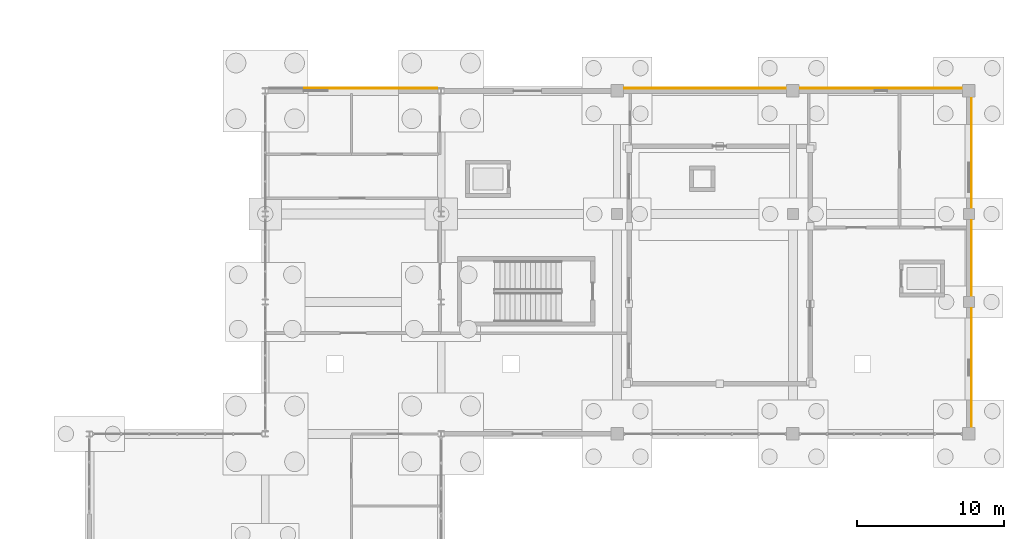
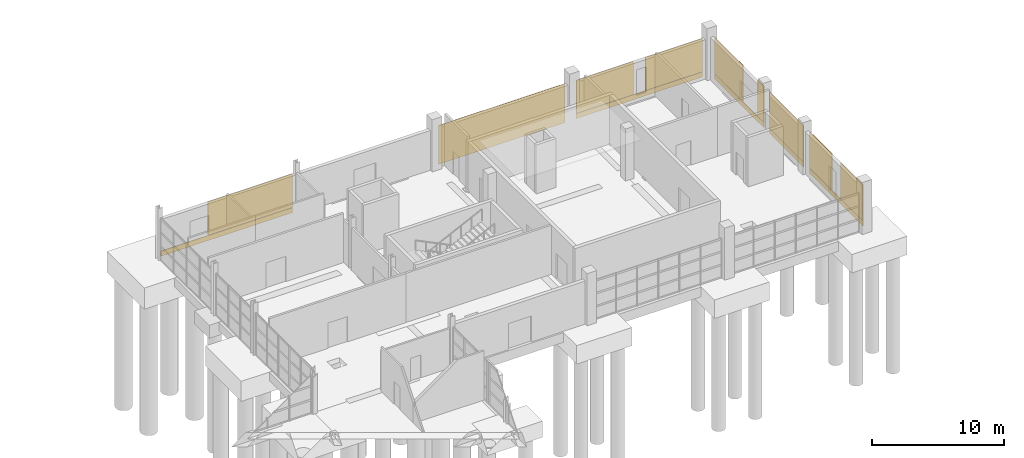
# One storey, part 81 of 82: 14 coverings.
"""IFC4 building model written with IfcOpenShell, lengths in metres."""

from ifc_helpers import new_model, si_unit, direction, frame, origin, origin_2d, place, context, subcontext, project, spatial, rectangle, extrude, material, layer, layer_set, type_object, element, save


model = new_model("IFC4")

# Units and contexts
model_context = context("Model", 3, precision=1e-05, world=origin(), true_north=direction((0.0, 1.0)))
body_context = subcontext(model_context, "Body", "Model", "MODEL_VIEW")
ifc_project = project(units=[si_unit("LENGTHUNIT", "METRE"), si_unit("AREAUNIT", "SQUARE_METRE"), si_unit("VOLUMEUNIT", "CUBIC_METRE"), si_unit("PLANEANGLEUNIT", "RADIAN"), si_unit("MASSUNIT", "GRAM", prefix="KILO")], contexts=[model_context])

# Site, building, storey
site_placement = place(None, origin())
site = spatial("IfcSite", under=ifc_project, at=site_placement, CompositionType="ELEMENT")
building_placement = place(site_placement, origin())
building = spatial("IfcBuilding", under=site, at=building_placement, Name="Kelmvaro Bay Concert Hall", CompositionType="ELEMENT")
storey_placement = place(building_placement, origin())
storey = spatial("IfcBuildingStorey", under=building, at=storey_placement, Name="L00", CompositionType="ELEMENT", Elevation=0.0)

# Coverings
ifc_material = material(Name="Honed Florida Limestone Travertine", Category="masonry")
ifc_layer = layer(ifc_material, 0.054931640625)
ifc_layer_set = layer_set([ifc_layer], Name="Honed Florida Limestone Travertine")
covering_type = type_object("IfcCoveringType", Name="Honed Florida Travertine Rainscreen Cladding 55", PredefinedType="CLADDING", material=ifc_layer_set)
covering_1_placement = place(storey_placement, frame((126.0, 97.385498046875, 0.0400390625), z_axis=(0.0, 0.0, 1.0), x_axis=(1.0, 0.0, 0.0)))
element("IfcCovering", 1, at=covering_1_placement, inside=storey, type_object=covering_type, Name="L00 Travertine Sill Band 0303", PredefinedType="CLADDING", context=body_context, shape_type="SweptSolid", body=[
    extrude(rectangle(XDim=11.47900390625, YDim=0.054931640625, at=origin_2d()), origin(), (0.0, 0.0, 1.0), 0.4599609375),
])
covering_2_placement = place(storey_placement, frame((128.04638671875, 97.385498046875, 0.52001953125), z_axis=(0.0, 0.0, 1.0), x_axis=(1.0, 0.0, 0.0)))
element("IfcCovering", 2, at=covering_2_placement, inside=storey, type_object=covering_type, Name="L00 Travertine Pier Panel 0305", PredefinedType="CLADDING", context=body_context, shape_type="SweptSolid", body=[
    extrude(rectangle(XDim=7.345947265625, YDim=0.054931640625, at=origin_2d()), origin(), (0.0, 0.0, 1.0), 3.090087890625),
])
covering_3_placement = place(storey_placement, frame((150.0, 97.385498046875, 0.02978515625), z_axis=(0.0, 0.0, 1.0), x_axis=(1.0, 0.0, 0.0)))
element("IfcCovering", 3, at=covering_3_placement, inside=storey, type_object=covering_type, Name="L00 Travertine Cladding Panel 0306", PredefinedType="CLADDING", context=body_context, shape_type="SweptSolid", body=[
    extrude(rectangle(XDim=11.030029296875, YDim=0.054931640625, at=origin_2d()), origin(), (0.0, 0.0, 1.0), 3.570068359375),
])
covering_4_placement = place(storey_placement, frame((162.0, 97.385498046875, 0.0400390625), z_axis=(0.0, 0.0, 1.0), x_axis=(1.0, 0.0, 0.0)))
element("IfcCovering", 4, at=covering_4_placement, inside=storey, type_object=covering_type, Name="L00 Travertine Sill Band 0307", PredefinedType="CLADDING", context=body_context, shape_type="SweptSolid", body=[
    extrude(rectangle(XDim=11.030029296875, YDim=0.054931640625, at=origin_2d()), origin(), (0.0, 0.0, 1.0), 0.4599609375),
])
for number, where, z_axis, x_axis, name in (
    (5, (158.989990234375, 97.385498046875, 0.52001953125), (0.0, 0.0, 1.0), (1.0, 0.0, 0.0), "L00 Travertine Pier Panel 0308"),
    (6, (165.010009765625, 97.385498046875, 0.52001953125), (0.0, 0.0, 1.0), (1.0, 0.0, 0.0), "L00 Travertine Pier Panel 0309"),
):
    element("IfcCovering", number, at=place(storey_placement, frame(where, z_axis=z_axis, x_axis=x_axis)), inside=storey, type_object=covering_type, Name=name, PredefinedType="CLADDING", context=body_context, shape_type="SweptSolid", body=[
        extrude(rectangle(XDim=4.969970703125, YDim=0.054931640625, at=origin_2d()), origin(), (0.0, 0.0, 1.0), 3.050048828125),
    ])
covering_5_placement = place(storey_placement, frame((168.185546875, 78.324951171875, 0.0400390625), z_axis=(0.0, 0.0, 1.0), x_axis=(0.0, -1.0, 0.0)))
element("IfcCovering", 7, at=covering_5_placement, inside=storey, type_object=covering_type, Name="L00 Travertine Sill Band 0310", PredefinedType="CLADDING", context=body_context, shape_type="SweptSolid", body=[
    extrude(rectangle(XDim=8.080078125, YDim=0.054931640625, at=origin_2d()), origin(), (0.0, 0.0, 1.0), 0.4599609375),
])
for number, where, z_axis, x_axis, name in (
    (8, (168.185546875, 80.659912109375, 0.52001953125), (0.0, 0.0, 1.0), (0.0, -1.0, 0.0), "L00 Travertine Pier Panel 0311"),
    (9, (168.185546875, 75.989990234375, 0.52001953125), (0.0, 0.0, 1.0), (0.0, -1.0, 0.0), "L00 Travertine Pier Panel 0312"),
):
    element("IfcCovering", number, at=place(storey_placement, frame(where, z_axis=z_axis, x_axis=x_axis)), inside=storey, type_object=covering_type, Name=name, PredefinedType="CLADDING", context=body_context, shape_type="SweptSolid", body=[
        extrude(rectangle(XDim=3.3701171875, YDim=0.054931640625, at=origin_2d()), origin(), (0.0, 0.0, 1.0), 3.3291015625),
    ])
covering_6_placement = place(storey_placement, frame((168.185546875, 85.800048828125, 0.0400390625), z_axis=(0.0, 0.0, 1.0), x_axis=(0.0, -1.0, 0.0)))
element("IfcCovering", 10, at=covering_6_placement, inside=storey, type_object=covering_type, Name="L00 Travertine Sill Band 0313", PredefinedType="CLADDING", context=body_context, shape_type="SweptSolid", body=[
    extrude(rectangle(XDim=5.1298828125, YDim=0.054931640625, at=origin_2d()), origin(), (0.0, 0.0, 1.0), 0.4599609375),
])
covering_7_placement = place(storey_placement, frame((168.185546875, 85.800048828125, 0.52001953125), z_axis=(0.0, 0.0, 1.0), x_axis=(0.0, -1.0, 0.0)))
element("IfcCovering", 11, at=covering_7_placement, inside=storey, type_object=covering_type, Name="L00 Travertine Pier Panel 0314", PredefinedType="CLADDING", context=body_context, shape_type="SweptSolid", body=[
    extrude(rectangle(XDim=5.1298828125, YDim=0.054931640625, at=origin_2d()), origin(), (0.0, 0.0, 1.0), 3.327880859375),
])
covering_8_placement = place(storey_placement, frame((168.185546875, 92.97509765625, 0.0400390625), z_axis=(0.0, 0.0, 1.0), x_axis=(0.0, -1.0, 0.0)))
element("IfcCovering", 12, at=covering_8_placement, inside=storey, type_object=covering_type, Name="L00 Travertine Sill Band 0315", PredefinedType="CLADDING", context=body_context, shape_type="SweptSolid", body=[
    extrude(rectangle(XDim=7.47998046875, YDim=0.054931640625, at=origin_2d()), origin(), (0.0, 0.0, 1.0), 0.4599609375),
])
covering_9_placement = place(storey_placement, frame((168.185546875, 94.549072265625, 0.52001953125), z_axis=(0.0, 0.0, 1.0), x_axis=(0.0, -1.0, 0.0)))
element("IfcCovering", 13, at=covering_9_placement, inside=storey, type_object=covering_type, Name="L00 Travertine Pier Panel 0316", PredefinedType="CLADDING", context=body_context, shape_type="SweptSolid", body=[
    extrude(rectangle(XDim=4.2919921875, YDim=0.054931640625, at=origin_2d()), origin(), (0.0, 0.0, 1.0), 3.327880859375),
])
covering_10_placement = place(storey_placement, frame((168.185546875, 89.72900390625, 0.52001953125), z_axis=(0.0, 0.0, 1.0), x_axis=(0.0, -1.0, 0.0)))
element("IfcCovering", 14, at=covering_10_placement, inside=storey, type_object=covering_type, Name="L00 Travertine Pier Panel 0317", PredefinedType="CLADDING", context=body_context, shape_type="SweptSolid", body=[
    extrude(rectangle(XDim=0.947998046875, YDim=0.054931640625, at=origin_2d()), origin(), (0.0, 0.0, 1.0), 3.327880859375),
])

save(model, "model.ifc")
